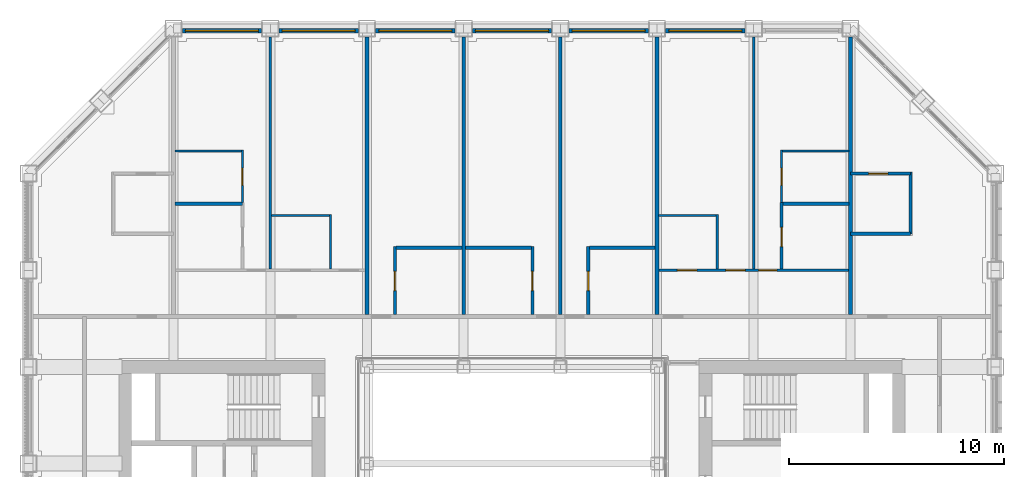
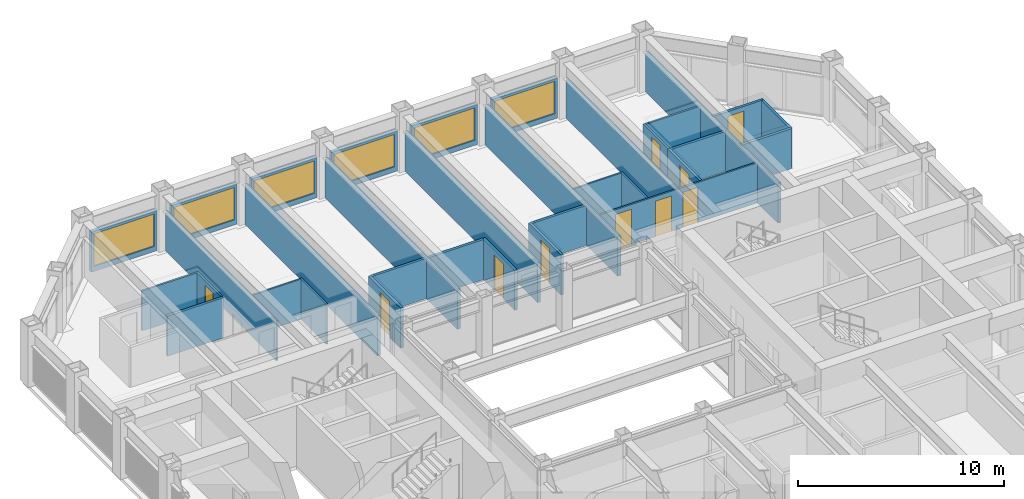
# One storey, part 14 of 18: 34 walls, 10 doors, 6 windows, 16 openings.
"""IFC4 building model written with IfcOpenShell, lengths in metres."""

from ifc_helpers import new_model, si_unit, direction, frame, frame_2d, origin, place, context, subcontext, project, spatial, rectangle, extrude, material, layer, layer_set, type_object, element, fill, save


model = new_model("IFC4")

# Units and contexts
model_context = context("Model", 3, precision=1e-05, world=origin(), true_north=direction((0.0, 1.0)))
body_context = subcontext(model_context, "Body", "Model", "MODEL_VIEW")
ifc_project = project(units=[si_unit("LENGTHUNIT", "METRE"), si_unit("AREAUNIT", "SQUARE_METRE"), si_unit("VOLUMEUNIT", "CUBIC_METRE"), si_unit("PLANEANGLEUNIT", "RADIAN"), si_unit("MASSUNIT", "GRAM", prefix="KILO")], contexts=[model_context])

# Site, building, storey
site_placement = place(None, origin())
site = spatial("IfcSite", under=ifc_project, at=site_placement, CompositionType="ELEMENT")
building_placement = place(site_placement, origin())
building = spatial("IfcBuilding", under=site, at=building_placement, Name="Msasa Ring Tower", CompositionType="ELEMENT")
storey_placement = place(building_placement, frame((0.0, 0.0, 186.800048828125)))
storey = spatial("IfcBuildingStorey", under=building, at=storey_placement, Name="L49", CompositionType="ELEMENT", Elevation=186.800048828125)

# Wall, opening, window
ifc_material_1 = material(Name="Terracotta rainscreen on blockwork", Category="masonry")
ifc_layer_1 = layer(ifc_material_1, 0.199951171875)
ifc_layer_set_1 = layer_set([ifc_layer_1], Name="FW1 TERRACOTTA-LINED INFILL BAY WALL 200")
wall_type_1 = type_object("IfcWallType", Name="FW1 TERRACOTTA-LINED INFILL BAY WALL 200", PredefinedType="SOLIDWALL", material=ifc_layer_set_1)
wall_1_placement = place(storey_placement, frame((-15.344970703125, 22.39990234375, 0.0), z_axis=(0.0, 0.0, 1.0), x_axis=(1.0, 0.0, 0.0)))
wall_1 = element("IfcWall", 1, at=wall_1_placement, inside=storey, type_object=wall_type_1, Name="Infill bay wall N L49 18", PredefinedType="SOLIDWALL", context=body_context, shape_type="SweptSolid", body=[
    extrude(rectangle(XDim=3.68994140625, YDim=0.199951171875, at=frame_2d((1.844970703125, 0.0))), origin(), (0.0, 0.0, 1.0), 2.37890625),
])
opening_1_placement = place(wall_1_placement, frame((0.14501953125, 0.0, 0.300048828125)))
opening_1 = element("IfcOpeningElement", 2, at=opening_1_placement, cuts=wall_1, Name="Opening WN7", PredefinedType="OPENING", context=body_context, shape_type="SweptSolid", body=[
    extrude(rectangle(XDim=3.39990234375, YDim=1.928955078125, at=frame_2d((1.699951171875, 0.96435546875))), frame((0.0, 0.10986328125, 0.0), z_axis=(0.0, -1.0, 0.0), x_axis=(1.0, 0.0, 0.0)), (0.0, 0.0, 1.0), 0.219970703125),
])
ifc_material_2 = material(Name="Aluminium frame with clear glass", Category="aluminium")
window_type = type_object("IfcWindowType", Name="WN7 GUEST ROOM WINDOW 3400x1929", PartitioningType="SINGLE_PANEL", PredefinedType="WINDOW", material=ifc_material_2)
window_1_placement = place(opening_1_placement, origin())
window_1 = element("IfcWindow", 3, at=window_1_placement, inside=storey, type_object=window_type, Name="Window N L49 18", OverallHeight=1.928955078125, OverallWidth=3.39990234375, PartitioningType="SINGLE_PANEL", PredefinedType="WINDOW", context=body_context, shape_type="SweptSolid", body=[
    extrude(rectangle(XDim=3.39990234375, YDim=1.928955078125, at=frame_2d((1.699951171875, 0.96435546875))), frame((0.0, 0.030029296875, 0.0), z_axis=(0.0, -1.0, 0.0), x_axis=(1.0, 0.0, 0.0)), (0.0, 0.0, 1.0), 0.06005859375),
])
fill(opening_1, window_1)

wall_2_placement = place(storey_placement, frame((-10.844970703125, 22.39990234375, 0.0), z_axis=(0.0, 0.0, 1.0), x_axis=(1.0, 0.0, 0.0)))
wall_2 = element("IfcWall", 4, at=wall_2_placement, inside=storey, type_object=wall_type_1, Name="Infill bay wall N L49 19", PredefinedType="SOLIDWALL", context=body_context, shape_type="SweptSolid", body=[
    extrude(rectangle(XDim=3.68994140625, YDim=0.199951171875, at=frame_2d((1.844970703125, 0.0))), origin(), (0.0, 0.0, 1.0), 2.37890625),
])
opening_2_placement = place(wall_2_placement, frame((0.14501953125, 0.0, 0.300048828125)))
opening_2 = element("IfcOpeningElement", 5, at=opening_2_placement, cuts=wall_2, Name="Opening WN7", PredefinedType="OPENING", context=body_context, shape_type="SweptSolid", body=[
    extrude(rectangle(XDim=3.39990234375, YDim=1.928955078125, at=frame_2d((1.699951171875, 0.96435546875))), frame((0.0, 0.10986328125, 0.0), z_axis=(0.0, -1.0, 0.0), x_axis=(1.0, 0.0, 0.0)), (0.0, 0.0, 1.0), 0.219970703125),
])
window_2_placement = place(opening_2_placement, origin())
window_2 = element("IfcWindow", 6, at=window_2_placement, inside=storey, type_object=window_type, Name="Window N L49 19", OverallHeight=1.928955078125, OverallWidth=3.39990234375, PartitioningType="SINGLE_PANEL", PredefinedType="WINDOW", context=body_context, shape_type="SweptSolid", body=[
    extrude(rectangle(XDim=3.39990234375, YDim=1.928955078125, at=frame_2d((1.699951171875, 0.96435546875))), frame((0.0, 0.030029296875, 0.0), z_axis=(0.0, -1.0, 0.0), x_axis=(1.0, 0.0, 0.0)), (0.0, 0.0, 1.0), 0.06005859375),
])
fill(opening_2, window_2)

wall_3_placement = place(storey_placement, frame((-6.344970703125, 22.39990234375, 0.0), z_axis=(0.0, 0.0, 1.0), x_axis=(1.0, 0.0, 0.0)))
wall_3 = element("IfcWall", 7, at=wall_3_placement, inside=storey, type_object=wall_type_1, Name="Infill bay wall N L49 20", PredefinedType="SOLIDWALL", context=body_context, shape_type="SweptSolid", body=[
    extrude(rectangle(XDim=3.68994140625, YDim=0.199951171875, at=frame_2d((1.844970703125, 0.0))), origin(), (0.0, 0.0, 1.0), 2.37890625),
])
opening_3_placement = place(wall_3_placement, frame((0.14501953125, 0.0, 0.300048828125)))
opening_3 = element("IfcOpeningElement", 8, at=opening_3_placement, cuts=wall_3, Name="Opening WN7", PredefinedType="OPENING", context=body_context, shape_type="SweptSolid", body=[
    extrude(rectangle(XDim=3.39990234375, YDim=1.928955078125, at=frame_2d((1.699951171875, 0.96435546875))), frame((0.0, 0.10986328125, 0.0), z_axis=(0.0, -1.0, 0.0), x_axis=(1.0, 0.0, 0.0)), (0.0, 0.0, 1.0), 0.219970703125),
])
window_3_placement = place(opening_3_placement, origin())
window_3 = element("IfcWindow", 9, at=window_3_placement, inside=storey, type_object=window_type, Name="Window N L49 20", OverallHeight=1.928955078125, OverallWidth=3.39990234375, PartitioningType="SINGLE_PANEL", PredefinedType="WINDOW", context=body_context, shape_type="SweptSolid", body=[
    extrude(rectangle(XDim=3.39990234375, YDim=1.928955078125, at=frame_2d((1.699951171875, 0.96435546875))), frame((0.0, 0.030029296875, 0.0), z_axis=(0.0, -1.0, 0.0), x_axis=(1.0, 0.0, 0.0)), (0.0, 0.0, 1.0), 0.06005859375),
])
fill(opening_3, window_3)

wall_4_placement = place(storey_placement, frame((-1.844970703125, 22.39990234375, 0.0), z_axis=(0.0, 0.0, 1.0), x_axis=(1.0, 0.0, 0.0)))
wall_4 = element("IfcWall", 10, at=wall_4_placement, inside=storey, type_object=wall_type_1, Name="Infill bay wall N L49 21", PredefinedType="SOLIDWALL", context=body_context, shape_type="SweptSolid", body=[
    extrude(rectangle(XDim=3.68994140625, YDim=0.199951171875, at=frame_2d((1.844970703125, 0.0))), origin(), (0.0, 0.0, 1.0), 2.37890625),
])
opening_4_placement = place(wall_4_placement, frame((0.14501953125, 0.0, 0.300048828125)))
opening_4 = element("IfcOpeningElement", 11, at=opening_4_placement, cuts=wall_4, Name="Opening WN7", PredefinedType="OPENING", context=body_context, shape_type="SweptSolid", body=[
    extrude(rectangle(XDim=3.39990234375, YDim=1.928955078125, at=frame_2d((1.699951171875, 0.96435546875))), frame((0.0, 0.10986328125, 0.0), z_axis=(0.0, -1.0, 0.0), x_axis=(1.0, 0.0, 0.0)), (0.0, 0.0, 1.0), 0.219970703125),
])
window_4_placement = place(opening_4_placement, origin())
window_4 = element("IfcWindow", 12, at=window_4_placement, inside=storey, type_object=window_type, Name="Window N L49 21", OverallHeight=1.928955078125, OverallWidth=3.39990234375, PartitioningType="SINGLE_PANEL", PredefinedType="WINDOW", context=body_context, shape_type="SweptSolid", body=[
    extrude(rectangle(XDim=3.39990234375, YDim=1.928955078125, at=frame_2d((1.699951171875, 0.96435546875))), frame((0.0, 0.030029296875, 0.0), z_axis=(0.0, -1.0, 0.0), x_axis=(1.0, 0.0, 0.0)), (0.0, 0.0, 1.0), 0.06005859375),
])
fill(opening_4, window_4)

wall_5_placement = place(storey_placement, frame((2.655029296875, 22.39990234375, 0.0), z_axis=(0.0, 0.0, 1.0), x_axis=(1.0, 0.0, 0.0)))
wall_5 = element("IfcWall", 13, at=wall_5_placement, inside=storey, type_object=wall_type_1, Name="Infill bay wall N L49 22", PredefinedType="SOLIDWALL", context=body_context, shape_type="SweptSolid", body=[
    extrude(rectangle(XDim=3.68994140625, YDim=0.199951171875, at=frame_2d((1.844970703125, 0.0))), origin(), (0.0, 0.0, 1.0), 2.37890625),
])
opening_5_placement = place(wall_5_placement, frame((0.14501953125, 0.0, 0.300048828125)))
opening_5 = element("IfcOpeningElement", 14, at=opening_5_placement, cuts=wall_5, Name="Opening WN7", PredefinedType="OPENING", context=body_context, shape_type="SweptSolid", body=[
    extrude(rectangle(XDim=3.39990234375, YDim=1.928955078125, at=frame_2d((1.699951171875, 0.96435546875))), frame((0.0, 0.10986328125, 0.0), z_axis=(0.0, -1.0, 0.0), x_axis=(1.0, 0.0, 0.0)), (0.0, 0.0, 1.0), 0.219970703125),
])
window_5_placement = place(opening_5_placement, origin())
window_5 = element("IfcWindow", 15, at=window_5_placement, inside=storey, type_object=window_type, Name="Window N L49 22", OverallHeight=1.928955078125, OverallWidth=3.39990234375, PartitioningType="SINGLE_PANEL", PredefinedType="WINDOW", context=body_context, shape_type="SweptSolid", body=[
    extrude(rectangle(XDim=3.39990234375, YDim=1.928955078125, at=frame_2d((1.699951171875, 0.96435546875))), frame((0.0, 0.030029296875, 0.0), z_axis=(0.0, -1.0, 0.0), x_axis=(1.0, 0.0, 0.0)), (0.0, 0.0, 1.0), 0.06005859375),
])
fill(opening_5, window_5)

wall_6_placement = place(storey_placement, frame((7.155029296875, 22.39990234375, 0.0), z_axis=(0.0, 0.0, 1.0), x_axis=(1.0, 0.0, 0.0)))
wall_6 = element("IfcWall", 16, at=wall_6_placement, inside=storey, type_object=wall_type_1, Name="Infill bay wall N L49 23", PredefinedType="SOLIDWALL", context=body_context, shape_type="SweptSolid", body=[
    extrude(rectangle(XDim=3.68994140625, YDim=0.199951171875, at=frame_2d((1.844970703125, 0.0))), origin(), (0.0, 0.0, 1.0), 2.37890625),
])
opening_6_placement = place(wall_6_placement, frame((0.14501953125, 0.0, 0.300048828125)))
opening_6 = element("IfcOpeningElement", 17, at=opening_6_placement, cuts=wall_6, Name="Opening WN7", PredefinedType="OPENING", context=body_context, shape_type="SweptSolid", body=[
    extrude(rectangle(XDim=3.39990234375, YDim=1.928955078125, at=frame_2d((1.699951171875, 0.96435546875))), frame((0.0, 0.10986328125, 0.0), z_axis=(0.0, -1.0, 0.0), x_axis=(1.0, 0.0, 0.0)), (0.0, 0.0, 1.0), 0.219970703125),
])
window_6_placement = place(opening_6_placement, origin())
window_6 = element("IfcWindow", 18, at=window_6_placement, inside=storey, type_object=window_type, Name="Window N L49 23", OverallHeight=1.928955078125, OverallWidth=3.39990234375, PartitioningType="SINGLE_PANEL", PredefinedType="WINDOW", context=body_context, shape_type="SweptSolid", body=[
    extrude(rectangle(XDim=3.39990234375, YDim=1.928955078125, at=frame_2d((1.699951171875, 0.96435546875))), frame((0.0, 0.030029296875, 0.0), z_axis=(0.0, -1.0, 0.0), x_axis=(1.0, 0.0, 0.0)), (0.0, 0.0, 1.0), 0.06005859375),
])
fill(opening_6, window_6)

# Walls
ifc_material_3 = material(Name="Gypsum board on steel studs", Category="steel")
ifc_layer_2 = layer(ifc_material_3, 0.10009765625)
ifc_layer_set_2 = layer_set([ifc_layer_2], Name="PT2 STUD PARTITION 100")
wall_type_2 = type_object("IfcWallType", Name="PT2 STUD PARTITION 100", PredefinedType="PARTITIONING", material=ifc_layer_set_2)
wall_7_placement = place(storey_placement, frame((-8.449951171875, 11.300048828125, 0.0), z_axis=(0.0, 0.0, 1.0), x_axis=(0.0, 1.0, 0.0)))
element("IfcWall", 19, at=wall_7_placement, inside=storey, type_object=wall_type_2, Name="Partition L49-GN00KX", PredefinedType="PARTITIONING", context=body_context, shape_type="SweptSolid", body=[
    extrude(rectangle(XDim=2.550048828125, YDim=0.10009765625, at=frame_2d((1.27490234375, 0.0))), origin(), (0.0, 0.0, 1.0), 2.37890625),
])
wall_8_placement = place(storey_placement, frame((-11.199951171875, 13.800048828125, 0.0), z_axis=(0.0, 0.0, 1.0), x_axis=(1.0, 0.0, 0.0)))
element("IfcWall", 20, at=wall_8_placement, inside=storey, type_object=wall_type_2, Name="Partition L49-GN00KY", PredefinedType="PARTITIONING", context=body_context, shape_type="SweptSolid", body=[
    extrude(rectangle(XDim=2.75, YDim=0.10009765625, at=frame_2d((1.375, 0.0))), origin(), (0.0, 0.0, 1.0), 2.37890625),
])
wall_9_placement = place(storey_placement, frame((-11.25, 11.300048828125, 0.0), z_axis=(0.0, 0.0, 1.0), x_axis=(0.0, 1.0, 0.0)))
element("IfcWall", 21, at=wall_9_placement, inside=storey, type_object=wall_type_2, Name="Partition L49-GN00P1", PredefinedType="PARTITIONING", context=body_context, shape_type="SweptSolid", body=[
    extrude(rectangle(XDim=10.800048828125, YDim=0.10009765625, at=frame_2d((5.39990234375, 0.0))), origin(), (0.0, 0.0, 1.0), 2.37890625),
])

# Wall, opening, door
wall_10_placement = place(storey_placement, frame((-12.550048828125, 14.39990234375, 0.0), z_axis=(0.0, 0.0, 1.0), x_axis=(0.0, 1.0, 0.0)))
wall_10 = element("IfcWall", 22, at=wall_10_placement, inside=storey, type_object=wall_type_2, Name="Partition L49-GN00WX1", PredefinedType="PARTITIONING", context=body_context, shape_type="SweptSolid", body=[
    extrude(rectangle(XDim=2.4501953125, YDim=0.10009765625, at=frame_2d((1.22509765625, 0.0))), origin(), (0.0, 0.0, 1.0), 2.37890625),
])
opening_7_placement = place(wall_10_placement, frame((0.800048828125, 0.0, 0.0)))
opening_7 = element("IfcOpeningElement", 23, at=opening_7_placement, cuts=wall_10, Name="Opening HG-003", PredefinedType="OPENING", context=body_context, shape_type="SweptSolid", body=[
    extrude(rectangle(XDim=0.800048828125, YDim=2.10009765625, at=frame_2d((0.39990234375, 1.050048828125))), frame((0.0, 0.06005859375, 0.0), z_axis=(0.0, -1.0, 0.0), x_axis=(1.0, 0.0, 0.0)), (0.0, 0.0, 1.0), 0.1201171875),
])
ifc_material_4 = material(Name="Timber door leaf in a steel frame", Category="steel")
door_type_1 = type_object("IfcDoorType", Name="D60 DRESSING ROOM DOOR 800x2100", OperationType="SINGLE_SWING_LEFT", PredefinedType="DOOR", material=ifc_material_4)
door_1_placement = place(opening_7_placement, origin())
door_1 = element("IfcDoor", 24, at=door_1_placement, inside=storey, type_object=door_type_1, Name="Door L49-GN00W1", OperationType="SINGLE_SWING_LEFT", OverallHeight=2.10009765625, OverallWidth=0.800048828125, PredefinedType="DOOR", context=body_context, shape_type="SweptSolid", body=[
    extrude(rectangle(XDim=0.800048828125, YDim=2.10009765625, at=frame_2d((0.39990234375, 1.050048828125))), frame((0.0, 0.02490234375, 0.0), z_axis=(0.0, -1.0, 0.0), x_axis=(1.0, 0.0, 0.0)), (0.0, 0.0, 1.0), 0.050048828125),
])
fill(opening_7, door_1)

# Wall
wall_11_placement = place(storey_placement, frame((-15.68994140625, 16.800048828125, 0.0), z_axis=(0.0, 0.0, 1.0), x_axis=(1.0, 0.0, 0.0)))
element("IfcWall", 25, at=wall_11_placement, inside=storey, type_object=wall_type_2, Name="Partition L49-GN00WY1", PredefinedType="PARTITIONING", context=body_context, shape_type="SweptSolid", body=[
    extrude(rectangle(XDim=3.139892578125, YDim=0.10009765625, at=frame_2d((1.56982421875, 0.0))), origin(), (0.0, 0.0, 1.0), 2.37890625),
])

# Wall, openings, doors
wall_12_placement = place(storey_placement, frame((6.83740234375, 11.25, 0.0), z_axis=(0.0, 0.0, 1.0), x_axis=(1.0, 0.0, 0.0)))
wall_12 = element("IfcWall", 26, at=wall_12_placement, inside=storey, type_object=wall_type_2, Name="Partition L49-GN04HY", PredefinedType="PARTITIONING", context=body_context, shape_type="SweptSolid", body=[
    extrude(rectangle(XDim=8.8251953125, YDim=0.10009765625, at=frame_2d((4.41259765625, 0.0))), origin(), (0.0, 0.0, 1.0), 2.37890625),
])
opening_8_placement = place(wall_12_placement, frame((0.862548828125, 0.0, 0.0)))
opening_8 = element("IfcOpeningElement", 27, at=opening_8_placement, cuts=wall_12, Name="Opening HG-010", PredefinedType="OPENING", context=body_context, shape_type="SweptSolid", body=[
    extrude(rectangle(XDim=0.89990234375, YDim=2.10009765625, at=frame_2d((0.449951171875, 1.050048828125))), frame((0.0, 0.06005859375, 0.0), z_axis=(0.0, -1.0, 0.0), x_axis=(1.0, 0.0, 0.0)), (0.0, 0.0, 1.0), 0.1201171875),
])
opening_9_placement = place(wall_12_placement, frame((3.112548828125, 0.0, 0.0)))
opening_9 = element("IfcOpeningElement", 28, at=opening_9_placement, cuts=wall_12, Name="Opening HG-011", PredefinedType="OPENING", context=body_context, shape_type="SweptSolid", body=[
    extrude(rectangle(XDim=0.89990234375, YDim=2.10009765625, at=frame_2d((0.449951171875, 1.050048828125))), frame((0.0, 0.06005859375, 0.0), z_axis=(0.0, -1.0, 0.0), x_axis=(1.0, 0.0, 0.0)), (0.0, 0.0, 1.0), 0.1201171875),
])
opening_10_placement = place(wall_12_placement, frame((4.637451171875, 0.0, 0.0)))
opening_10 = element("IfcOpeningElement", 29, at=opening_10_placement, cuts=wall_12, Name="Opening HG-012", PredefinedType="OPENING", context=body_context, shape_type="SweptSolid", body=[
    extrude(rectangle(XDim=0.85009765625, YDim=2.10009765625, at=frame_2d((0.425048828125, 1.050048828125))), frame((0.0, 0.06005859375, 0.0), z_axis=(0.0, -1.0, 0.0), x_axis=(1.0, 0.0, 0.0)), (0.0, 0.0, 1.0), 0.1201171875),
])
ifc_material_5 = material(Name="Timber door leaf in a steel frame", Category="steel")
door_type_2 = type_object("IfcDoorType", Name="D14 BEDROOM DOOR 850x2100", OperationType="SINGLE_SWING_LEFT", PredefinedType="DOOR", material=ifc_material_5)
door_2_placement = place(opening_10_placement, origin())
door_2 = element("IfcDoor", 30, at=door_2_placement, inside=storey, type_object=door_type_2, Name="Door L49-GN04R1", OperationType="SINGLE_SWING_RIGHT", OverallHeight=2.10009765625, OverallWidth=0.85009765625, PredefinedType="DOOR", context=body_context, shape_type="SweptSolid", body=[
    extrude(rectangle(XDim=0.85009765625, YDim=2.10009765625, at=frame_2d((0.425048828125, 1.050048828125))), frame((0.0, 0.02490234375, 0.0), z_axis=(0.0, -1.0, 0.0), x_axis=(1.0, 0.0, 0.0)), (0.0, 0.0, 1.0), 0.050048828125),
])
fill(opening_10, door_2)
ifc_material_6 = material(Name="Timber door leaf in a steel frame", Category="steel")
door_type_3 = type_object("IfcDoorType", Name="D22 INTERNAL HALL DOOR 900x2100", OperationType="SINGLE_SWING_LEFT", PredefinedType="DOOR", material=ifc_material_6)
door_3_placement = place(opening_8_placement, origin())
door_3 = element("IfcDoor", 31, at=door_3_placement, inside=storey, type_object=door_type_3, Name="Door L49-GN04K", OperationType="SINGLE_SWING_LEFT", OverallHeight=2.10009765625, OverallWidth=0.89990234375, PredefinedType="DOOR", context=body_context, shape_type="SweptSolid", body=[
    extrude(rectangle(XDim=0.89990234375, YDim=2.10009765625, at=frame_2d((0.449951171875, 1.050048828125))), frame((0.0, 0.02490234375, 0.0), z_axis=(0.0, -1.0, 0.0), x_axis=(1.0, 0.0, 0.0)), (0.0, 0.0, 1.0), 0.050048828125),
])
fill(opening_8, door_3)
door_4_placement = place(opening_9_placement, origin())
door_4 = element("IfcDoor", 32, at=door_4_placement, inside=storey, type_object=door_type_3, Name="Door L49-GN04L", OperationType="SINGLE_SWING_LEFT", OverallHeight=2.10009765625, OverallWidth=0.89990234375, PredefinedType="DOOR", context=body_context, shape_type="SweptSolid", body=[
    extrude(rectangle(XDim=0.89990234375, YDim=2.10009765625, at=frame_2d((0.449951171875, 1.050048828125))), frame((0.0, 0.02490234375, 0.0), z_axis=(0.0, -1.0, 0.0), x_axis=(1.0, 0.0, 0.0)), (0.0, 0.0, 1.0), 0.050048828125),
])
fill(opening_9, door_4)

# Walls
wall_13_placement = place(storey_placement, frame((9.550048828125, 11.300048828125, 0.0), z_axis=(0.0, 0.0, 1.0), x_axis=(0.0, 1.0, 0.0)))
element("IfcWall", 33, at=wall_13_placement, inside=storey, type_object=wall_type_2, Name="Partition L49-GN04KX", PredefinedType="PARTITIONING", context=body_context, shape_type="SweptSolid", body=[
    extrude(rectangle(XDim=2.550048828125, YDim=0.10009765625, at=frame_2d((1.27490234375, 0.0))), origin(), (0.0, 0.0, 1.0), 2.37890625),
])
wall_14_placement = place(storey_placement, frame((6.81005859375, 13.800048828125, 0.0), z_axis=(0.0, 0.0, 1.0), x_axis=(1.0, 0.0, 0.0)))
element("IfcWall", 34, at=wall_14_placement, inside=storey, type_object=wall_type_2, Name="Partition L49-GN04KY", PredefinedType="PARTITIONING", context=body_context, shape_type="SweptSolid", body=[
    extrude(rectangle(XDim=2.739990234375, YDim=0.10009765625, at=frame_2d((1.3701171875, 0.0))), origin(), (0.0, 0.0, 1.0), 2.37890625),
])
wall_15_placement = place(storey_placement, frame((11.25, 11.300048828125, 0.0), z_axis=(0.0, 0.0, 1.0), x_axis=(0.0, 1.0, 0.0)))
element("IfcWall", 35, at=wall_15_placement, inside=storey, type_object=wall_type_2, Name="Partition L49-GN04P1", PredefinedType="PARTITIONING", context=body_context, shape_type="SweptSolid", body=[
    extrude(rectangle(XDim=10.800048828125, YDim=0.10009765625, at=frame_2d((5.39990234375, 0.0))), origin(), (0.0, 0.0, 1.0), 2.37890625),
])

# Wall, opening, door
wall_16_placement = place(storey_placement, frame((12.550048828125, 14.39990234375, 0.0), z_axis=(0.0, 0.0, 1.0), x_axis=(0.0, 1.0, 0.0)))
wall_16 = element("IfcWall", 36, at=wall_16_placement, inside=storey, type_object=wall_type_2, Name="Partition L49-GN04WX1", PredefinedType="PARTITIONING", context=body_context, shape_type="SweptSolid", body=[
    extrude(rectangle(XDim=2.4501953125, YDim=0.10009765625, at=frame_2d((1.22509765625, 0.0))), origin(), (0.0, 0.0, 1.0), 2.37890625),
])
opening_11_placement = place(wall_16_placement, frame((0.800048828125, 0.0, 0.0)))
opening_11 = element("IfcOpeningElement", 37, at=opening_11_placement, cuts=wall_16, Name="Opening HG-004", PredefinedType="OPENING", context=body_context, shape_type="SweptSolid", body=[
    extrude(rectangle(XDim=0.800048828125, YDim=2.10009765625, at=frame_2d((0.39990234375, 1.050048828125))), frame((0.0, 0.06005859375, 0.0), z_axis=(0.0, -1.0, 0.0), x_axis=(1.0, 0.0, 0.0)), (0.0, 0.0, 1.0), 0.1201171875),
])
door_5_placement = place(opening_11_placement, origin())
door_5 = element("IfcDoor", 38, at=door_5_placement, inside=storey, type_object=door_type_1, Name="Door L49-GN04W1", OperationType="SINGLE_SWING_LEFT", OverallHeight=2.10009765625, OverallWidth=0.800048828125, PredefinedType="DOOR", context=body_context, shape_type="SweptSolid", body=[
    extrude(rectangle(XDim=0.800048828125, YDim=2.10009765625, at=frame_2d((0.39990234375, 1.050048828125))), frame((0.0, 0.02490234375, 0.0), z_axis=(0.0, -1.0, 0.0), x_axis=(1.0, 0.0, 0.0)), (0.0, 0.0, 1.0), 0.050048828125),
])
fill(opening_11, door_5)

# Walls
wall_17_placement = place(storey_placement, frame((12.550048828125, 16.800048828125, 0.0), z_axis=(0.0, 0.0, 1.0), x_axis=(1.0, 0.0, 0.0)))
element("IfcWall", 39, at=wall_17_placement, inside=storey, type_object=wall_type_2, Name="Partition L49-GN04WY1", PredefinedType="PARTITIONING", context=body_context, shape_type="SweptSolid", body=[
    extrude(rectangle(XDim=3.139892578125, YDim=0.10009765625, at=frame_2d((1.56982421875, 0.0))), origin(), (0.0, 0.0, 1.0), 2.37890625),
])
ifc_material_7 = material(Name="Moisture-resistant board on steel studs with a concealed cistern and pipe void, tiled", Category="steel")
ifc_layer_3 = layer(ifc_material_7, 0.14990234375)
ifc_layer_set_3 = layer_set([ifc_layer_3], Name="PT4 BATHROOM WET WALL 150")
wall_type_3 = type_object("IfcWallType", Name="PT4 BATHROOM WET WALL 150", PredefinedType="PARTITIONING", material=ifc_layer_set_3)
wall_18_placement = place(storey_placement, frame((-15.68994140625, 14.35009765625, 0.0), z_axis=(0.0, 0.0, 1.0), x_axis=(1.0, 0.0, 0.0)))
element("IfcWall", 40, at=wall_18_placement, inside=storey, type_object=wall_type_3, Name="Partition L49-GN00BY1", PredefinedType="PARTITIONING", context=body_context, shape_type="SweptSolid", body=[
    extrude(rectangle(XDim=3.139892578125, YDim=0.14990234375, at=frame_2d((1.56982421875, 0.0))), origin(), (0.0, 0.0, 1.0), 2.37890625),
])

# Wall, opening, door
wall_19_placement = place(storey_placement, frame((-5.449951171875, 9.199951171875, 0.0), z_axis=(0.0, 0.0, 1.0), x_axis=(0.0, 1.0, 0.0)))
wall_19 = element("IfcWall", 41, at=wall_19_placement, inside=storey, type_object=wall_type_3, Name="Partition L49-GN01BX", PredefinedType="PARTITIONING", context=body_context, shape_type="SweptSolid", body=[
    extrude(rectangle(XDim=3.150146484375, YDim=0.14990234375, at=frame_2d((1.5751953125, 0.0))), origin(), (0.0, 0.0, 1.0), 2.37890625),
])
opening_12_placement = place(wall_19_placement, frame((1.10009765625, 0.0, 0.0)))
opening_12 = element("IfcOpeningElement", 42, at=opening_12_placement, cuts=wall_19, Name="Opening HG-013", PredefinedType="OPENING", context=body_context, shape_type="SweptSolid", body=[
    extrude(rectangle(XDim=0.89990234375, YDim=2.10009765625, at=frame_2d((0.449951171875, 1.050048828125))), frame((0.0, 0.0849609375, 0.0), z_axis=(0.0, -1.0, 0.0), x_axis=(1.0, 0.0, 0.0)), (0.0, 0.0, 1.0), 0.169921875),
])
ifc_material_8 = material(Name="Timber door leaf in a steel frame", Category="steel")
door_type_4 = type_object("IfcDoorType", Name="D3 BATHROOM DOOR 900x2100", OperationType="SINGLE_SWING_LEFT", PredefinedType="DOOR", material=ifc_material_8)
door_6_placement = place(opening_12_placement, origin())
door_6 = element("IfcDoor", 43, at=door_6_placement, inside=storey, type_object=door_type_4, Name="Door L49-GN01B", OperationType="SINGLE_SWING_LEFT", OverallHeight=2.10009765625, OverallWidth=0.89990234375, PredefinedType="DOOR", context=body_context, shape_type="SweptSolid", body=[
    extrude(rectangle(XDim=0.89990234375, YDim=2.10009765625, at=frame_2d((0.449951171875, 1.050048828125))), frame((0.0, 0.02490234375, 0.0), z_axis=(0.0, -1.0, 0.0), x_axis=(1.0, 0.0, 0.0)), (0.0, 0.0, 1.0), 0.050048828125),
])
fill(opening_12, door_6)

# Wall
wall_20_placement = place(storey_placement, frame((-5.39990234375, 12.300048828125, 0.0), z_axis=(0.0, 0.0, 1.0), x_axis=(1.0, 0.0, 0.0)))
element("IfcWall", 44, at=wall_20_placement, inside=storey, type_object=wall_type_3, Name="Partition L49-GN01BY", PredefinedType="PARTITIONING", context=body_context, shape_type="SweptSolid", body=[
    extrude(rectangle(XDim=3.0625, YDim=0.14990234375, at=frame_2d((1.53125, 0.0))), origin(), (0.0, 0.0, 1.0), 2.37890625),
])

# Wall, opening, door
wall_21_placement = place(storey_placement, frame((0.949951171875, 9.199951171875, 0.0), z_axis=(0.0, 0.0, 1.0), x_axis=(0.0, 1.0, 0.0)))
wall_21 = element("IfcWall", 45, at=wall_21_placement, inside=storey, type_object=wall_type_3, Name="Partition L49-GN02BX", PredefinedType="PARTITIONING", context=body_context, shape_type="SweptSolid", body=[
    extrude(rectangle(XDim=3.150146484375, YDim=0.14990234375, at=frame_2d((1.5751953125, 0.0))), origin(), (0.0, 0.0, 1.0), 2.37890625),
])
opening_13_placement = place(wall_21_placement, frame((1.10009765625, 0.0, 0.0)))
opening_13 = element("IfcOpeningElement", 46, at=opening_13_placement, cuts=wall_21, Name="Opening HG-014", PredefinedType="OPENING", context=body_context, shape_type="SweptSolid", body=[
    extrude(rectangle(XDim=0.89990234375, YDim=2.10009765625, at=frame_2d((0.449951171875, 1.050048828125))), frame((0.0, 0.0849609375, 0.0), z_axis=(0.0, -1.0, 0.0), x_axis=(1.0, 0.0, 0.0)), (0.0, 0.0, 1.0), 0.169921875),
])
door_7_placement = place(opening_13_placement, origin())
door_7 = element("IfcDoor", 47, at=door_7_placement, inside=storey, type_object=door_type_4, Name="Door L49-GN02B", OperationType="SINGLE_SWING_LEFT", OverallHeight=2.10009765625, OverallWidth=0.89990234375, PredefinedType="DOOR", context=body_context, shape_type="SweptSolid", body=[
    extrude(rectangle(XDim=0.89990234375, YDim=2.10009765625, at=frame_2d((0.449951171875, 1.050048828125))), frame((0.0, 0.02490234375, 0.0), z_axis=(0.0, -1.0, 0.0), x_axis=(1.0, 0.0, 0.0)), (0.0, 0.0, 1.0), 0.050048828125),
])
fill(opening_13, door_7)

# Wall
wall_22_placement = place(storey_placement, frame((-2.16259765625, 12.300048828125, 0.0), z_axis=(0.0, 0.0, 1.0), x_axis=(1.0, 0.0, 0.0)))
element("IfcWall", 48, at=wall_22_placement, inside=storey, type_object=wall_type_3, Name="Partition L49-GN02BY", PredefinedType="PARTITIONING", context=body_context, shape_type="SweptSolid", body=[
    extrude(rectangle(XDim=3.0625, YDim=0.14990234375, at=frame_2d((1.53125, 0.0))), origin(), (0.0, 0.0, 1.0), 2.37890625),
])

# Wall, opening, door
wall_23_placement = place(storey_placement, frame((3.550048828125, 9.199951171875, 0.0), z_axis=(0.0, 0.0, 1.0), x_axis=(0.0, 1.0, 0.0)))
wall_23 = element("IfcWall", 49, at=wall_23_placement, inside=storey, type_object=wall_type_3, Name="Partition L49-GN03BX", PredefinedType="PARTITIONING", context=body_context, shape_type="SweptSolid", body=[
    extrude(rectangle(XDim=3.150146484375, YDim=0.14990234375, at=frame_2d((1.5751953125, 0.0))), origin(), (0.0, 0.0, 1.0), 2.37890625),
])
opening_14_placement = place(wall_23_placement, frame((1.10009765625, 0.0, 0.0)))
opening_14 = element("IfcOpeningElement", 50, at=opening_14_placement, cuts=wall_23, Name="Opening HG-015", PredefinedType="OPENING", context=body_context, shape_type="SweptSolid", body=[
    extrude(rectangle(XDim=0.89990234375, YDim=2.10009765625, at=frame_2d((0.449951171875, 1.050048828125))), frame((0.0, 0.0849609375, 0.0), z_axis=(0.0, -1.0, 0.0), x_axis=(1.0, 0.0, 0.0)), (0.0, 0.0, 1.0), 0.169921875),
])
door_8_placement = place(opening_14_placement, origin())
door_8 = element("IfcDoor", 51, at=door_8_placement, inside=storey, type_object=door_type_4, Name="Door L49-GN03B", OperationType="SINGLE_SWING_LEFT", OverallHeight=2.10009765625, OverallWidth=0.89990234375, PredefinedType="DOOR", context=body_context, shape_type="SweptSolid", body=[
    extrude(rectangle(XDim=0.89990234375, YDim=2.10009765625, at=frame_2d((0.449951171875, 1.050048828125))), frame((0.0, 0.02490234375, 0.0), z_axis=(0.0, -1.0, 0.0), x_axis=(1.0, 0.0, 0.0)), (0.0, 0.0, 1.0), 0.050048828125),
])
fill(opening_14, door_8)

# Wall
wall_24_placement = place(storey_placement, frame((3.60009765625, 12.300048828125, 0.0), z_axis=(0.0, 0.0, 1.0), x_axis=(1.0, 0.0, 0.0)))
element("IfcWall", 52, at=wall_24_placement, inside=storey, type_object=wall_type_3, Name="Partition L49-GN03BY", PredefinedType="PARTITIONING", context=body_context, shape_type="SweptSolid", body=[
    extrude(rectangle(XDim=3.0625, YDim=0.14990234375, at=frame_2d((1.53125, 0.0))), origin(), (0.0, 0.0, 1.0), 2.37890625),
])

# Wall, opening, door
wall_25_placement = place(storey_placement, frame((12.550048828125, 11.300048828125, 0.0), z_axis=(0.0, 0.0, 1.0), x_axis=(0.0, 1.0, 0.0)))
wall_25 = element("IfcWall", 53, at=wall_25_placement, inside=storey, type_object=wall_type_3, Name="Partition L49-GN04BX1", PredefinedType="PARTITIONING", context=body_context, shape_type="SweptSolid", body=[
    extrude(rectangle(XDim=3.099853515625, YDim=0.14990234375, at=frame_2d((1.5498046875, 0.0))), origin(), (0.0, 0.0, 1.0), 2.37890625),
])
opening_15_placement = place(wall_25_placement, frame((1.050048828125, 0.0, 0.0)))
opening_15 = element("IfcOpeningElement", 54, at=opening_15_placement, cuts=wall_25, Name="Opening HG-006", PredefinedType="OPENING", context=body_context, shape_type="SweptSolid", body=[
    extrude(rectangle(XDim=0.89990234375, YDim=2.10009765625, at=frame_2d((0.449951171875, 1.050048828125))), frame((0.0, 0.0849609375, 0.0), z_axis=(0.0, -1.0, 0.0), x_axis=(1.0, 0.0, 0.0)), (0.0, 0.0, 1.0), 0.169921875),
])
door_9_placement = place(opening_15_placement, origin())
door_9 = element("IfcDoor", 55, at=door_9_placement, inside=storey, type_object=door_type_4, Name="Door L49-GN04B1", OperationType="SINGLE_SWING_LEFT", OverallHeight=2.10009765625, OverallWidth=0.89990234375, PredefinedType="DOOR", context=body_context, shape_type="SweptSolid", body=[
    extrude(rectangle(XDim=0.89990234375, YDim=2.10009765625, at=frame_2d((0.449951171875, 1.050048828125))), frame((0.0, 0.02490234375, 0.0), z_axis=(0.0, -1.0, 0.0), x_axis=(1.0, 0.0, 0.0)), (0.0, 0.0, 1.0), 0.050048828125),
])
fill(opening_15, door_9)

# Walls
wall_26_placement = place(storey_placement, frame((12.550048828125, 14.35009765625, 0.0), z_axis=(0.0, 0.0, 1.0), x_axis=(1.0, 0.0, 0.0)))
element("IfcWall", 56, at=wall_26_placement, inside=storey, type_object=wall_type_3, Name="Partition L49-GN04BY1", PredefinedType="PARTITIONING", context=body_context, shape_type="SweptSolid", body=[
    extrude(rectangle(XDim=3.139892578125, YDim=0.14990234375, at=frame_2d((1.56982421875, 0.0))), origin(), (0.0, 0.0, 1.0), 2.37890625),
])
wall_27_placement = place(storey_placement, frame((18.550048828125, 12.949951171875, 0.0), z_axis=(0.0, 0.0, 1.0), x_axis=(0.0, 1.0, 0.0)))
element("IfcWall", 57, at=wall_27_placement, inside=storey, type_object=wall_type_3, Name="Partition L49-CSNEBX", PredefinedType="PARTITIONING", context=body_context, shape_type="SweptSolid", body=[
    extrude(rectangle(XDim=2.875, YDim=0.14990234375, at=frame_2d((1.4375, 0.0))), origin(), (0.0, 0.0, 1.0), 2.37890625),
])
wall_28_placement = place(storey_placement, frame((15.75, 12.949951171875, 0.0), z_axis=(0.0, 0.0, 1.0), x_axis=(1.0, 0.0, 0.0)))
element("IfcWall", 58, at=wall_28_placement, inside=storey, type_object=wall_type_3, Name="Partition L49-CSNEBY", PredefinedType="PARTITIONING", context=body_context, shape_type="SweptSolid", body=[
    extrude(rectangle(XDim=2.800048828125, YDim=0.14990234375, at=frame_2d((1.39990234375, 0.0))), origin(), (0.0, 0.0, 1.0), 2.37890625),
])

# Wall, opening, door
wall_29_placement = place(storey_placement, frame((15.75, 15.75, 0.0), z_axis=(0.0, 0.0, 1.0), x_axis=(1.0, 0.0, 0.0)))
wall_29 = element("IfcWall", 59, at=wall_29_placement, inside=storey, type_object=wall_type_3, Name="Partition L49-CSNEBZ", PredefinedType="PARTITIONING", context=body_context, shape_type="SweptSolid", body=[
    extrude(rectangle(XDim=2.800048828125, YDim=0.14990234375, at=frame_2d((1.39990234375, 0.0))), origin(), (0.0, 0.0, 1.0), 2.37890625),
])
opening_16_placement = place(wall_29_placement, frame((0.85009765625, 0.0, 0.0)))
opening_16 = element("IfcOpeningElement", 60, at=opening_16_placement, cuts=wall_29, Name="Opening HG-002", PredefinedType="OPENING", context=body_context, shape_type="SweptSolid", body=[
    extrude(rectangle(XDim=0.89990234375, YDim=2.10009765625, at=frame_2d((0.449951171875, 1.050048828125))), frame((0.0, 0.0849609375, 0.0), z_axis=(0.0, -1.0, 0.0), x_axis=(1.0, 0.0, 0.0)), (0.0, 0.0, 1.0), 0.169921875),
])
door_10_placement = place(opening_16_placement, origin())
door_10 = element("IfcDoor", 61, at=door_10_placement, inside=storey, type_object=door_type_4, Name="Door L49-CSNEB1", OperationType="SINGLE_SWING_LEFT", OverallHeight=2.10009765625, OverallWidth=0.89990234375, PredefinedType="DOOR", context=body_context, shape_type="SweptSolid", body=[
    extrude(rectangle(XDim=0.89990234375, YDim=2.10009765625, at=frame_2d((0.449951171875, 1.050048828125))), frame((0.0, 0.02490234375, 0.0), z_axis=(0.0, -1.0, 0.0), x_axis=(1.0, 0.0, 0.0)), (0.0, 0.0, 1.0), 0.050048828125),
])
fill(opening_16, door_10)

# Walls
ifc_material_9 = material(Name="Twin steel studs, two layers of acoustic board each face, mineral wool", Category="steel")
ifc_layer_4 = layer(ifc_material_9, 0.175048828125)
ifc_layer_set_4 = layer_set([ifc_layer_4], Name="PT5 GUEST ROOM SEPARATING WALL 175")
wall_type_4 = type_object("IfcWallType", Name="PT5 GUEST ROOM SEPARATING WALL 175", PredefinedType="PARTITIONING", material=ifc_layer_set_4)
for number, where, z_axis, x_axis, name in (
    (62, (-6.75, 9.199951171875, 0.0), (0.0, 0.0, 1.0), (0.0, 1.0, 0.0), "Partition L49-PWN-6.75"),
    (63, (-2.25, 9.199951171875, 0.0), (0.0, 0.0, 1.0), (0.0, 1.0, 0.0), "Partition L49-PWN-2.25"),
    (64, (2.25, 9.199951171875, 0.0), (0.0, 0.0, 1.0), (0.0, 1.0, 0.0), "Partition L49-PWN+2.25"),
    (65, (6.75, 9.199951171875, 0.0), (0.0, 0.0, 1.0), (0.0, 1.0, 0.0), "Partition L49-PWN+6.75"),
    (66, (15.75, 9.199951171875, 0.0), (0.0, 0.0, 1.0), (0.0, 1.0, 0.0), "Partition L49-PWN+15.75"),
):
    element("IfcWall", number, at=place(storey_placement, frame(where, z_axis=z_axis, x_axis=x_axis)), inside=storey, type_object=wall_type_4, Name=name, PredefinedType="PARTITIONING", context=body_context, shape_type="SweptSolid", body=[
        extrude(rectangle(XDim=12.900146484375, YDim=0.175048828125, at=frame_2d((6.4501953125, 0.0))), origin(), (0.0, 0.0, 1.0), 2.37890625),
    ])

save(model, "model.ifc")
